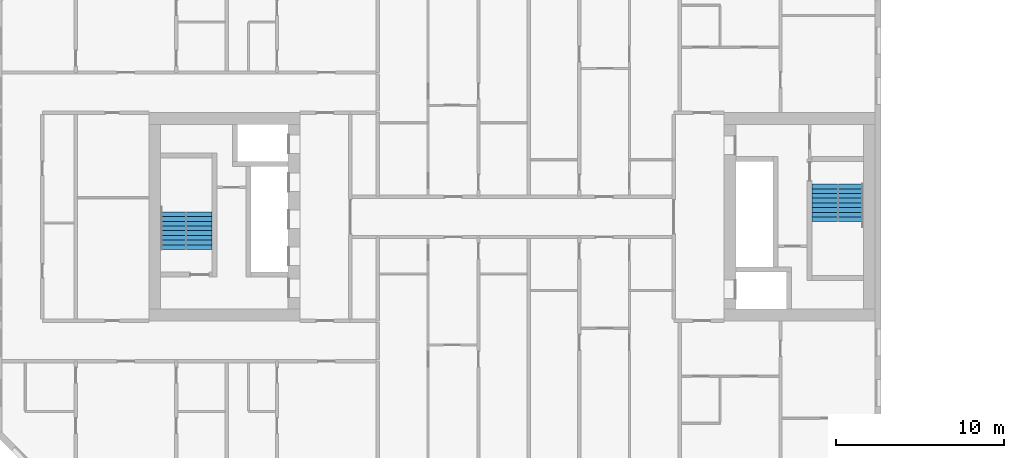
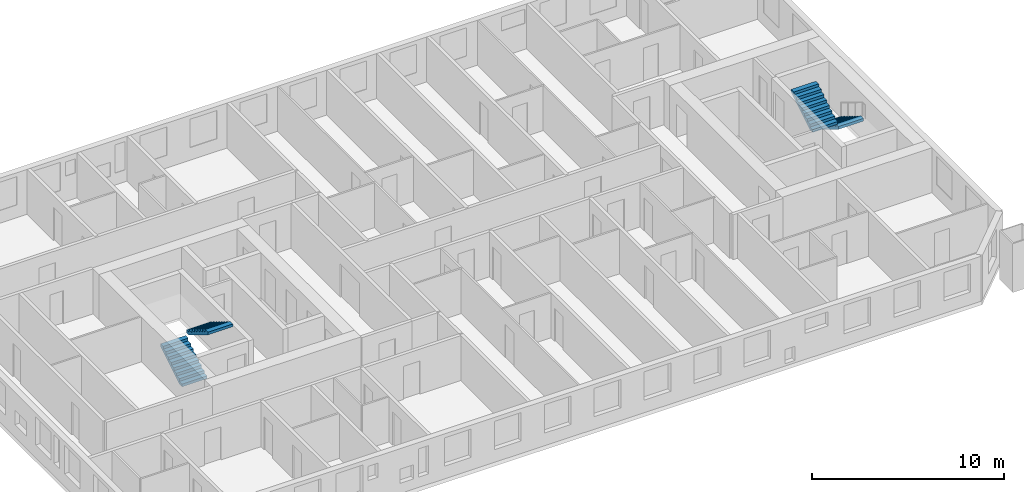
# One storey, part 16 of 17: 4 stair flights, 2 elements without a shape of their own.
"""IFC4 building model written with IfcOpenShell, lengths in metres."""

from ifc_helpers import new_model, si_unit, direction, frame, origin, place, context, subcontext, project, spatial, faceted_brep, material, type_object, element, aggregate, save


model = new_model("IFC4")

# Units and contexts
model_context = context("Model", 3, precision=1e-05, world=origin(), true_north=direction((0.0, 1.0)))
body_context = subcontext(model_context, "Body", "Model", "MODEL_VIEW")
ifc_project = project(units=[si_unit("LENGTHUNIT", "METRE"), si_unit("AREAUNIT", "SQUARE_METRE"), si_unit("VOLUMEUNIT", "CUBIC_METRE"), si_unit("PLANEANGLEUNIT", "RADIAN"), si_unit("MASSUNIT", "GRAM", prefix="KILO")], contexts=[model_context])

# Site, building, storey
site_placement = place(None, origin())
site = spatial("IfcSite", under=ifc_project, at=site_placement, CompositionType="ELEMENT")
building_placement = place(site_placement, origin())
building = spatial("IfcBuilding", under=site, at=building_placement, Name="Tuart Gate Housing", CompositionType="ELEMENT")
storey_placement = place(building_placement, frame((0.0, 0.0, 77.800048828125)))
storey = spatial("IfcBuildingStorey", under=building, at=storey_placement, Name="L21", CompositionType="ELEMENT", Elevation=77.800048828125)

# Stair, stair flights
ifc_material_1 = material(Name="Concrete C40", Category="concrete")
stair_type = type_object("IfcStairType", Name="Core stair 1500", PredefinedType="HALF_TURN_STAIR", material=ifc_material_1)
stair_1_placement = place(storey_placement, origin())
stair_1 = element("IfcStair", 1, at=stair_1_placement, inside=storey, type_object=stair_type, Name="Stair SA1", PredefinedType="HALF_TURN_STAIR")
ifc_material_2 = material(Name="Concrete C40", Category="concrete")
stair_flight_type = type_object("IfcStairFlightType", Name="Stair flight 1500, 9 risers 172 x 280", PredefinedType="STRAIGHT", material=ifc_material_2)
stair_flight_1_placement = place(storey_placement, frame((74.18994140625, 71.949951171875, 0.0), z_axis=(0.0, 0.0, 1.0), x_axis=(0.0, -1.0, 0.0)))
stair_flight_1 = element("IfcStairFlight", 2, at=stair_flight_1_placement, type_object=stair_flight_type, Name="SA1 flight 1", NumberOfRisers=9, NumberOfTreads=8, PredefinedType="STRAIGHT", RiserHeight=0.172222222, TreadLength=0.28, context=body_context, shape_type="Brep", body=[
    faceted_brep([(0.0, 0.75, 0.0), (0.0, 0.75, 0.172119140625), (0.280029296875, 0.75, 0.172119140625), (0.280029296875, 0.75, 0.344482421875), (0.56005859375, 0.75, 0.344482421875), (0.56005859375, 0.75, 0.5166015625), (0.840087890625, 0.75, 0.5166015625), (0.840087890625, 0.75, 0.68896484375), (1.1201171875, 0.75, 0.68896484375), (1.1201171875, 0.75, 0.861083984375), (1.39990234375, 0.75, 0.861083984375), (1.39990234375, 0.75, 1.033447265625), (1.679931640625, 0.75, 1.033447265625), (1.679931640625, 0.75, 1.20556640625), (1.9599609375, 0.75, 1.20556640625), (1.9599609375, 0.75, 1.377685546875), (2.239990234375, 0.75, 1.377685546875), (2.239990234375, 0.75, 1.201904296875), (0.2861328125, 0.75, 0.0), (0.2861328125, -0.75, 0.0), (2.239990234375, -0.75, 1.201904296875), (2.239990234375, -0.75, 1.377685546875), (1.9599609375, -0.75, 1.377685546875), (1.9599609375, -0.75, 1.20556640625), (1.679931640625, -0.75, 1.20556640625), (1.679931640625, -0.75, 1.033447265625), (1.39990234375, -0.75, 1.033447265625), (1.39990234375, -0.75, 0.861083984375), (1.1201171875, -0.75, 0.861083984375), (1.1201171875, -0.75, 0.68896484375), (0.840087890625, -0.75, 0.68896484375), (0.840087890625, -0.75, 0.5166015625), (0.56005859375, -0.75, 0.5166015625), (0.56005859375, -0.75, 0.344482421875), (0.280029296875, -0.75, 0.344482421875), (0.280029296875, -0.75, 0.172119140625), (0.0, -0.75, 0.172119140625), (0.0, -0.75, 0.0), (2.239990234375, 0.0, 1.201904296875), (0.2861328125, 0.0, 0.0), (2.239990234375, 0.0, 1.377685546875), (1.9599609375, 0.0, 1.377685546875), (1.9599609375, 0.0, 1.20556640625), (1.679931640625, 0.0, 1.20556640625), (1.679931640625, 0.0, 1.033447265625), (1.39990234375, 0.0, 1.033447265625), (1.39990234375, 0.0, 0.861083984375), (1.1201171875, 0.0, 0.861083984375), (1.1201171875, 0.0, 0.68896484375), (0.840087890625, 0.0, 0.68896484375), (0.840087890625, 0.0, 0.5166015625), (0.56005859375, 0.0, 0.5166015625), (0.56005859375, 0.0, 0.344482421875), (0.280029296875, 0.0, 0.344482421875), (0.280029296875, 0.0, 0.172119140625), (0.0, 0.0, 0.172119140625), (0.0, 0.0, 0.0)], [[[0, 1, 2, 3, 4, 5, 6, 7, 8, 9, 10, 11, 12, 13, 14, 15, 16, 17, 18]], [[19, 20, 21, 22, 23, 24, 25, 26, 27, 28, 29, 30, 31, 32, 33, 34, 35, 36, 37]], [[18, 17, 38, 39]], [[39, 38, 20, 19]], [[17, 16, 40, 38]], [[38, 40, 21, 20]], [[16, 15, 41, 40]], [[40, 41, 22, 21]], [[15, 14, 42, 41]], [[41, 42, 23, 22]], [[14, 13, 43, 42]], [[42, 43, 24, 23]], [[13, 12, 44, 43]], [[43, 44, 25, 24]], [[12, 11, 45, 44]], [[44, 45, 26, 25]], [[11, 10, 46, 45]], [[45, 46, 27, 26]], [[10, 9, 47, 46]], [[46, 47, 28, 27]], [[9, 8, 48, 47]], [[47, 48, 29, 28]], [[8, 7, 49, 48]], [[48, 49, 30, 29]], [[7, 6, 50, 49]], [[49, 50, 31, 30]], [[6, 5, 51, 50]], [[50, 51, 32, 31]], [[5, 4, 52, 51]], [[51, 52, 33, 32]], [[4, 3, 53, 52]], [[52, 53, 34, 33]], [[3, 2, 54, 53]], [[53, 54, 35, 34]], [[2, 1, 55, 54]], [[54, 55, 36, 35]], [[1, 0, 56, 55]], [[55, 56, 37, 36]], [[0, 18, 39, 56]], [[56, 39, 19, 37]]]),
])
stair_flight_2_placement = place(storey_placement, frame((72.639892578125, 69.7099609375, 1.550048828125), z_axis=(0.0, 0.0, 1.0), x_axis=(0.0, 1.0, 0.0)))
stair_flight_2 = element("IfcStairFlight", 3, at=stair_flight_2_placement, type_object=stair_flight_type, Name="SA1 flight 2", NumberOfRisers=9, NumberOfTreads=8, PredefinedType="STRAIGHT", RiserHeight=0.172222222, TreadLength=0.28, context=body_context, shape_type="Brep", body=[
    faceted_brep([(0.0, 0.75, 0.0), (0.0, 0.75, 0.172119140625), (0.280029296875, 0.75, 0.172119140625), (0.280029296875, 0.75, 0.344482421875), (0.56005859375, 0.75, 0.344482421875), (0.56005859375, 0.75, 0.5166015625), (0.840087890625, 0.75, 0.5166015625), (0.840087890625, 0.75, 0.68896484375), (1.1201171875, 0.75, 0.68896484375), (1.1201171875, 0.75, 0.861083984375), (1.39990234375, 0.75, 0.861083984375), (1.39990234375, 0.75, 1.033447265625), (1.679931640625, 0.75, 1.033447265625), (1.679931640625, 0.75, 1.20556640625), (1.9599609375, 0.75, 1.20556640625), (1.9599609375, 0.75, 1.377685546875), (2.239990234375, 0.75, 1.377685546875), (2.239990234375, 0.75, 1.201904296875), (0.2861328125, 0.75, 0.0), (0.2861328125, -0.75, 0.0), (2.239990234375, -0.75, 1.201904296875), (2.239990234375, -0.75, 1.377685546875), (1.9599609375, -0.75, 1.377685546875), (1.9599609375, -0.75, 1.20556640625), (1.679931640625, -0.75, 1.20556640625), (1.679931640625, -0.75, 1.033447265625), (1.39990234375, -0.75, 1.033447265625), (1.39990234375, -0.75, 0.861083984375), (1.1201171875, -0.75, 0.861083984375), (1.1201171875, -0.75, 0.68896484375), (0.840087890625, -0.75, 0.68896484375), (0.840087890625, -0.75, 0.5166015625), (0.56005859375, -0.75, 0.5166015625), (0.56005859375, -0.75, 0.344482421875), (0.280029296875, -0.75, 0.344482421875), (0.280029296875, -0.75, 0.172119140625), (0.0, -0.75, 0.172119140625), (0.0, -0.75, 0.0), (2.239990234375, 0.0, 1.201904296875), (0.2861328125, 0.0, 0.0), (2.239990234375, 0.0, 1.377685546875), (1.9599609375, 0.0, 1.377685546875), (1.9599609375, 0.0, 1.20556640625), (1.679931640625, 0.0, 1.20556640625), (1.679931640625, 0.0, 1.033447265625), (1.39990234375, 0.0, 1.033447265625), (1.39990234375, 0.0, 0.861083984375), (1.1201171875, 0.0, 0.861083984375), (1.1201171875, 0.0, 0.68896484375), (0.840087890625, 0.0, 0.68896484375), (0.840087890625, 0.0, 0.5166015625), (0.56005859375, 0.0, 0.5166015625), (0.56005859375, 0.0, 0.344482421875), (0.280029296875, 0.0, 0.344482421875), (0.280029296875, 0.0, 0.172119140625), (0.0, 0.0, 0.172119140625), (0.0, 0.0, 0.0)], [[[0, 1, 2, 3, 4, 5, 6, 7, 8, 9, 10, 11, 12, 13, 14, 15, 16, 17, 18]], [[19, 20, 21, 22, 23, 24, 25, 26, 27, 28, 29, 30, 31, 32, 33, 34, 35, 36, 37]], [[18, 17, 38, 39]], [[39, 38, 20, 19]], [[17, 16, 40, 38]], [[38, 40, 21, 20]], [[16, 15, 41, 40]], [[40, 41, 22, 21]], [[15, 14, 42, 41]], [[41, 42, 23, 22]], [[14, 13, 43, 42]], [[42, 43, 24, 23]], [[13, 12, 44, 43]], [[43, 44, 25, 24]], [[12, 11, 45, 44]], [[44, 45, 26, 25]], [[11, 10, 46, 45]], [[45, 46, 27, 26]], [[10, 9, 47, 46]], [[46, 47, 28, 27]], [[9, 8, 48, 47]], [[47, 48, 29, 28]], [[8, 7, 49, 48]], [[48, 49, 30, 29]], [[7, 6, 50, 49]], [[49, 50, 31, 30]], [[6, 5, 51, 50]], [[50, 51, 32, 31]], [[5, 4, 52, 51]], [[51, 52, 33, 32]], [[4, 3, 53, 52]], [[52, 53, 34, 33]], [[3, 2, 54, 53]], [[53, 54, 35, 34]], [[2, 1, 55, 54]], [[54, 55, 36, 35]], [[1, 0, 56, 55]], [[55, 56, 37, 36]], [[0, 18, 39, 56]], [[56, 39, 19, 37]]]),
])
aggregate(stair_1, [stair_flight_1, stair_flight_2])

stair_2_placement = place(storey_placement, origin())
stair_2 = element("IfcStair", 4, at=stair_2_placement, inside=storey, type_object=stair_type, Name="Stair SA2", PredefinedType="HALF_TURN_STAIR")
stair_flight_3_placement = place(storey_placement, frame((33.81005859375, 68.050048828125, 0.0), z_axis=(0.0, 0.0, 1.0), x_axis=(0.0, 1.0, 0.0)))
stair_flight_3 = element("IfcStairFlight", 5, at=stair_flight_3_placement, type_object=stair_flight_type, Name="SA2 flight 1", NumberOfRisers=9, NumberOfTreads=8, PredefinedType="STRAIGHT", RiserHeight=0.172222222, TreadLength=0.28, context=body_context, shape_type="Brep", body=[
    faceted_brep([(0.0, 0.75, 0.0), (0.0, 0.75, 0.172119140625), (0.280029296875, 0.75, 0.172119140625), (0.280029296875, 0.75, 0.344482421875), (0.56005859375, 0.75, 0.344482421875), (0.56005859375, 0.75, 0.5166015625), (0.840087890625, 0.75, 0.5166015625), (0.840087890625, 0.75, 0.68896484375), (1.1201171875, 0.75, 0.68896484375), (1.1201171875, 0.75, 0.861083984375), (1.39990234375, 0.75, 0.861083984375), (1.39990234375, 0.75, 1.033447265625), (1.679931640625, 0.75, 1.033447265625), (1.679931640625, 0.75, 1.20556640625), (1.9599609375, 0.75, 1.20556640625), (1.9599609375, 0.75, 1.377685546875), (2.239990234375, 0.75, 1.377685546875), (2.239990234375, 0.75, 1.201904296875), (0.2861328125, 0.75, 0.0), (0.2861328125, -0.75, 0.0), (2.239990234375, -0.75, 1.201904296875), (2.239990234375, -0.75, 1.377685546875), (1.9599609375, -0.75, 1.377685546875), (1.9599609375, -0.75, 1.20556640625), (1.679931640625, -0.75, 1.20556640625), (1.679931640625, -0.75, 1.033447265625), (1.39990234375, -0.75, 1.033447265625), (1.39990234375, -0.75, 0.861083984375), (1.1201171875, -0.75, 0.861083984375), (1.1201171875, -0.75, 0.68896484375), (0.840087890625, -0.75, 0.68896484375), (0.840087890625, -0.75, 0.5166015625), (0.56005859375, -0.75, 0.5166015625), (0.56005859375, -0.75, 0.344482421875), (0.280029296875, -0.75, 0.344482421875), (0.280029296875, -0.75, 0.172119140625), (0.0, -0.75, 0.172119140625), (0.0, -0.75, 0.0), (2.239990234375, 0.0, 1.201904296875), (0.2861328125, 0.0, 0.0), (2.239990234375, 0.0, 1.377685546875), (1.9599609375, 0.0, 1.377685546875), (1.9599609375, 0.0, 1.20556640625), (1.679931640625, 0.0, 1.20556640625), (1.679931640625, 0.0, 1.033447265625), (1.39990234375, 0.0, 1.033447265625), (1.39990234375, 0.0, 0.861083984375), (1.1201171875, 0.0, 0.861083984375), (1.1201171875, 0.0, 0.68896484375), (0.840087890625, 0.0, 0.68896484375), (0.840087890625, 0.0, 0.5166015625), (0.56005859375, 0.0, 0.5166015625), (0.56005859375, 0.0, 0.344482421875), (0.280029296875, 0.0, 0.344482421875), (0.280029296875, 0.0, 0.172119140625), (0.0, 0.0, 0.172119140625), (0.0, 0.0, 0.0)], [[[0, 1, 2, 3, 4, 5, 6, 7, 8, 9, 10, 11, 12, 13, 14, 15, 16, 17, 18]], [[19, 20, 21, 22, 23, 24, 25, 26, 27, 28, 29, 30, 31, 32, 33, 34, 35, 36, 37]], [[18, 17, 38, 39]], [[39, 38, 20, 19]], [[17, 16, 40, 38]], [[38, 40, 21, 20]], [[16, 15, 41, 40]], [[40, 41, 22, 21]], [[15, 14, 42, 41]], [[41, 42, 23, 22]], [[14, 13, 43, 42]], [[42, 43, 24, 23]], [[13, 12, 44, 43]], [[43, 44, 25, 24]], [[12, 11, 45, 44]], [[44, 45, 26, 25]], [[11, 10, 46, 45]], [[45, 46, 27, 26]], [[10, 9, 47, 46]], [[46, 47, 28, 27]], [[9, 8, 48, 47]], [[47, 48, 29, 28]], [[8, 7, 49, 48]], [[48, 49, 30, 29]], [[7, 6, 50, 49]], [[49, 50, 31, 30]], [[6, 5, 51, 50]], [[50, 51, 32, 31]], [[5, 4, 52, 51]], [[51, 52, 33, 32]], [[4, 3, 53, 52]], [[52, 53, 34, 33]], [[3, 2, 54, 53]], [[53, 54, 35, 34]], [[2, 1, 55, 54]], [[54, 55, 36, 35]], [[1, 0, 56, 55]], [[55, 56, 37, 36]], [[0, 18, 39, 56]], [[56, 39, 19, 37]]]),
])
stair_flight_4_placement = place(storey_placement, frame((35.360107421875, 70.2900390625, 1.550048828125), z_axis=(0.0, 0.0, 1.0), x_axis=(0.0, -1.0, 0.0)))
stair_flight_4 = element("IfcStairFlight", 6, at=stair_flight_4_placement, type_object=stair_flight_type, Name="SA2 flight 2", NumberOfRisers=9, NumberOfTreads=8, PredefinedType="STRAIGHT", RiserHeight=0.172222222, TreadLength=0.28, context=body_context, shape_type="Brep", body=[
    faceted_brep([(0.0, 0.75, 0.0), (0.0, 0.75, 0.172119140625), (0.280029296875, 0.75, 0.172119140625), (0.280029296875, 0.75, 0.344482421875), (0.56005859375, 0.75, 0.344482421875), (0.56005859375, 0.75, 0.5166015625), (0.840087890625, 0.75, 0.5166015625), (0.840087890625, 0.75, 0.68896484375), (1.1201171875, 0.75, 0.68896484375), (1.1201171875, 0.75, 0.861083984375), (1.39990234375, 0.75, 0.861083984375), (1.39990234375, 0.75, 1.033447265625), (1.679931640625, 0.75, 1.033447265625), (1.679931640625, 0.75, 1.20556640625), (1.9599609375, 0.75, 1.20556640625), (1.9599609375, 0.75, 1.377685546875), (2.239990234375, 0.75, 1.377685546875), (2.239990234375, 0.75, 1.201904296875), (0.2861328125, 0.75, 0.0), (0.2861328125, -0.75, 0.0), (2.239990234375, -0.75, 1.201904296875), (2.239990234375, -0.75, 1.377685546875), (1.9599609375, -0.75, 1.377685546875), (1.9599609375, -0.75, 1.20556640625), (1.679931640625, -0.75, 1.20556640625), (1.679931640625, -0.75, 1.033447265625), (1.39990234375, -0.75, 1.033447265625), (1.39990234375, -0.75, 0.861083984375), (1.1201171875, -0.75, 0.861083984375), (1.1201171875, -0.75, 0.68896484375), (0.840087890625, -0.75, 0.68896484375), (0.840087890625, -0.75, 0.5166015625), (0.56005859375, -0.75, 0.5166015625), (0.56005859375, -0.75, 0.344482421875), (0.280029296875, -0.75, 0.344482421875), (0.280029296875, -0.75, 0.172119140625), (0.0, -0.75, 0.172119140625), (0.0, -0.75, 0.0), (2.239990234375, 0.0, 1.201904296875), (0.2861328125, 0.0, 0.0), (2.239990234375, 0.0, 1.377685546875), (1.9599609375, 0.0, 1.377685546875), (1.9599609375, 0.0, 1.20556640625), (1.679931640625, 0.0, 1.20556640625), (1.679931640625, 0.0, 1.033447265625), (1.39990234375, 0.0, 1.033447265625), (1.39990234375, 0.0, 0.861083984375), (1.1201171875, 0.0, 0.861083984375), (1.1201171875, 0.0, 0.68896484375), (0.840087890625, 0.0, 0.68896484375), (0.840087890625, 0.0, 0.5166015625), (0.56005859375, 0.0, 0.5166015625), (0.56005859375, 0.0, 0.344482421875), (0.280029296875, 0.0, 0.344482421875), (0.280029296875, 0.0, 0.172119140625), (0.0, 0.0, 0.172119140625), (0.0, 0.0, 0.0)], [[[0, 1, 2, 3, 4, 5, 6, 7, 8, 9, 10, 11, 12, 13, 14, 15, 16, 17, 18]], [[19, 20, 21, 22, 23, 24, 25, 26, 27, 28, 29, 30, 31, 32, 33, 34, 35, 36, 37]], [[18, 17, 38, 39]], [[39, 38, 20, 19]], [[17, 16, 40, 38]], [[38, 40, 21, 20]], [[16, 15, 41, 40]], [[40, 41, 22, 21]], [[15, 14, 42, 41]], [[41, 42, 23, 22]], [[14, 13, 43, 42]], [[42, 43, 24, 23]], [[13, 12, 44, 43]], [[43, 44, 25, 24]], [[12, 11, 45, 44]], [[44, 45, 26, 25]], [[11, 10, 46, 45]], [[45, 46, 27, 26]], [[10, 9, 47, 46]], [[46, 47, 28, 27]], [[9, 8, 48, 47]], [[47, 48, 29, 28]], [[8, 7, 49, 48]], [[48, 49, 30, 29]], [[7, 6, 50, 49]], [[49, 50, 31, 30]], [[6, 5, 51, 50]], [[50, 51, 32, 31]], [[5, 4, 52, 51]], [[51, 52, 33, 32]], [[4, 3, 53, 52]], [[52, 53, 34, 33]], [[3, 2, 54, 53]], [[53, 54, 35, 34]], [[2, 1, 55, 54]], [[54, 55, 36, 35]], [[1, 0, 56, 55]], [[55, 56, 37, 36]], [[0, 18, 39, 56]], [[56, 39, 19, 37]]]),
])
aggregate(stair_2, [stair_flight_3, stair_flight_4])

save(model, "model.ifc")
